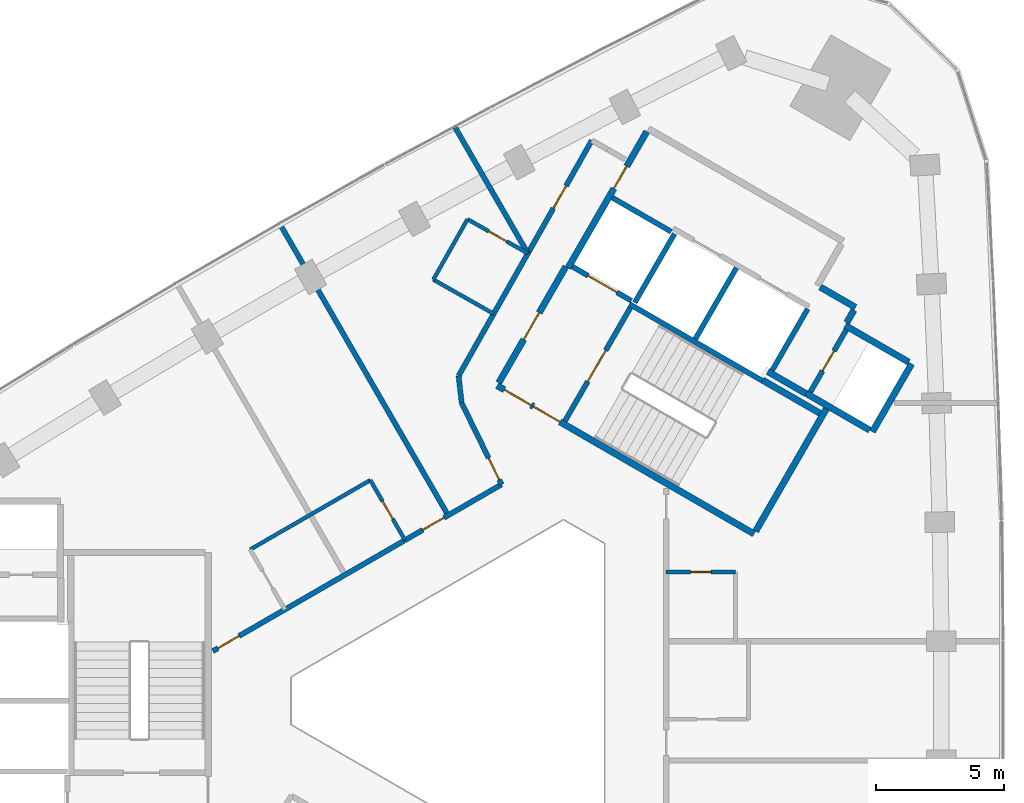
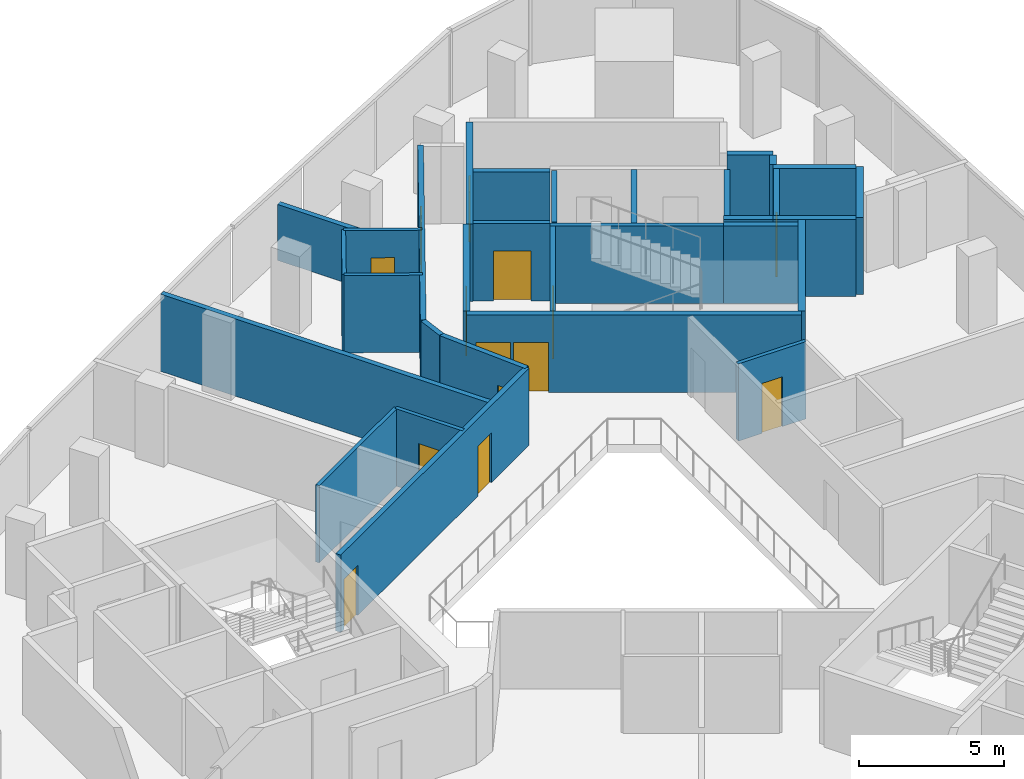
# One storey, part 9 of 11: 31 walls, 14 doors, 14 openings.
"""IFC4 building model written with IfcOpenShell, lengths in metres."""

from ifc_helpers import new_model, si_unit, direction, frame, frame_2d, origin, place, context, subcontext, project, spatial, rectangle, extrude, material, layer, layer_set, type_object, element, fill, save


model = new_model("IFC4")

# Units and contexts
model_context = context("Model", 3, precision=1e-05, world=origin(), true_north=direction((0.0, 1.0)))
body_context = subcontext(model_context, "Body", "Model", "MODEL_VIEW")
ifc_project = project(units=[si_unit("LENGTHUNIT", "METRE"), si_unit("AREAUNIT", "SQUARE_METRE"), si_unit("VOLUMEUNIT", "CUBIC_METRE"), si_unit("PLANEANGLEUNIT", "RADIAN"), si_unit("MASSUNIT", "GRAM", prefix="KILO")], contexts=[model_context])

# Site, building, storey
site_placement = place(None, origin())
site = spatial("IfcSite", under=ifc_project, at=site_placement, CompositionType="ELEMENT")
building_placement = place(site_placement, origin())
building = spatial("IfcBuilding", under=site, at=building_placement, Name="Tamra Quay Hotel Tower", CompositionType="ELEMENT")
storey_placement = place(building_placement, frame((0.0, 0.0, 190.0)))
storey = spatial("IfcBuildingStorey", under=building, at=storey_placement, Name="L47", CompositionType="ELEMENT", Elevation=190.0)

# Wall
ifc_material_1 = material(Name="Concrete M70", Category="concrete")
ifc_layer_1 = layer(ifc_material_1, 0.199951171875)
ifc_layer_set_1 = layer_set([ifc_layer_1], Name="Concrete M70 core wall 200")
wall_type_1 = type_object("IfcWallType", Name="Concrete M70 core wall 200", PredefinedType="SHEAR", material=ifc_layer_set_1)
wall_1_placement = place(storey_placement, frame((10.7431640625, 12.4599609375, 0.0), z_axis=(0.0, 0.0, 1.0), x_axis=(-0.866018848283, 0.500011354289, 0.0)))
element("IfcWall", 1, at=wall_1_placement, inside=storey, type_object=wall_type_1, Name="CW2", PredefinedType="SHEAR", context=body_context, shape_type="SweptSolid", body=[
    extrude(rectangle(XDim=5.973876953125, YDim=0.199951171875, at=frame_2d((2.98681640625, 0.0))), origin(), (0.0, 0.0, 1.0), 3.25),
])

# Wall, opening, door
wall_2_placement = place(storey_placement, frame((3.056640625, 10.89453125, 0.0), z_axis=(0.0, 0.0, 1.0), x_axis=(0.500027839223, 0.866009330205, 0.0)))
wall_2 = element("IfcWall", 2, at=wall_2_placement, inside=storey, type_object=wall_type_1, Name="CW2", PredefinedType="SHEAR", context=body_context, shape_type="SweptSolid", body=[
    extrude(rectangle(XDim=5.097900390625, YDim=0.199951171875, at=frame_2d((2.548828125, 0.0))), origin(), (0.0, 0.0, 1.0), 3.25),
])
opening_1_placement = place(wall_2_placement, frame((1.77392578125, 0.0, 0.0)))
opening_1 = element("IfcOpeningElement", 3, at=opening_1_placement, cuts=wall_2, Name="Opening FD2", PredefinedType="OPENING", context=body_context, shape_type="SweptSolid", body=[
    extrude(rectangle(XDim=1.39990234375, YDim=2.10009765625, at=frame_2d((0.699951171875, 1.050048828125))), frame((0.0, 0.10986328125, 0.0), z_axis=(0.0, -1.0, 0.0), x_axis=(1.0, 0.0, 0.0)), (0.0, 0.0, 1.0), 0.219970703125),
])
ifc_material_2 = material(Name="Core door FD2 1400x2100 RH")
door_type_1 = type_object("IfcDoorType", Name="Core door FD2 1400x2100 RH", OperationType="NOTDEFINED", PredefinedType="DOOR", material=ifc_material_2)
door_1_placement = place(opening_1_placement, origin())
door_1 = element("IfcDoor", 4, at=door_1_placement, inside=storey, type_object=door_type_1, Name="FD2", OperationType="SINGLE_SWING_RIGHT", OverallHeight=2.10009765625, OverallWidth=1.39990234375, PredefinedType="DOOR", context=body_context, shape_type="SweptSolid", body=[
    extrude(rectangle(XDim=1.39990234375, YDim=2.10009765625, at=frame_2d((0.699951171875, 1.050048828125))), frame((0.0, 0.02490234375, 0.0), z_axis=(0.0, -1.0, 0.0), x_axis=(1.0, 0.0, 0.0)), (0.0, 0.0, 1.0), 0.050048828125),
])
fill(opening_1, door_1)

# Wall
wall_3_placement = place(storey_placement, frame((8.131591796875, 14.08447265625, 0.0), z_axis=(0.0, 0.0, 1.0), x_axis=(0.500030834389, 0.86600760081, 0.0)))
element("IfcWall", 5, at=wall_3_placement, inside=storey, type_object=wall_type_1, Name="CW2", PredefinedType="SHEAR", context=body_context, shape_type="SweptSolid", body=[
    extrude(rectangle(XDim=3.197998046875, YDim=0.199951171875, at=frame_2d((1.59912109375, 0.0))), origin(), (0.0, 0.0, 1.0), 3.25),
])

# Wall, opening, door
wall_4_placement = place(storey_placement, frame((14.0078125, 14.442138671875, 0.0), z_axis=(0.0, 0.0, 1.0), x_axis=(-0.499986818241, -0.866033014143, 0.0)))
wall_4 = element("IfcWall", 6, at=wall_4_placement, inside=storey, type_object=wall_type_1, Name="CW2", PredefinedType="SHEAR", context=body_context, shape_type="SweptSolid", body=[
    extrude(rectangle(XDim=2.7978515625, YDim=0.199951171875, at=frame_2d((1.39892578125, 0.0))), origin(), (0.0, 0.0, 1.0), 3.25),
])
opening_2_placement = place(wall_4_placement, frame((0.948974609375, 0.0, 0.0)))
opening_2 = element("IfcOpeningElement", 7, at=opening_2_placement, cuts=wall_4, Name="Opening D1", PredefinedType="OPENING", context=body_context, shape_type="SweptSolid", body=[
    extrude(rectangle(XDim=0.89990234375, YDim=2.10009765625, at=frame_2d((0.449951171875, 1.050048828125))), frame((0.0, 0.10986328125, 0.0), z_axis=(0.0, -1.0, 0.0), x_axis=(1.0, 0.0, 0.0)), (0.0, 0.0, 1.0), 0.219970703125),
])
ifc_material_3 = material(Name="Core door D1 900x2100 LH")
door_type_2 = type_object("IfcDoorType", Name="Core door D1 900x2100 LH", OperationType="NOTDEFINED", PredefinedType="DOOR", material=ifc_material_3)
door_2_placement = place(opening_2_placement, origin())
door_2 = element("IfcDoor", 8, at=door_2_placement, inside=storey, type_object=door_type_2, Name="D1", OperationType="SINGLE_SWING_LEFT", OverallHeight=2.10009765625, OverallWidth=0.89990234375, PredefinedType="DOOR", context=body_context, shape_type="SweptSolid", body=[
    extrude(rectangle(XDim=0.89990234375, YDim=2.10009765625, at=frame_2d((0.449951171875, 1.050048828125))), frame((0.0, 0.02490234375, 0.0), z_axis=(0.0, -1.0, 0.0), x_axis=(1.0, 0.0, 0.0)), (0.0, 0.0, 1.0), 0.050048828125),
])
fill(opening_2, door_2)

# Walls
wall_5_placement = place(storey_placement, frame((12.50244140625, 15.2548828125, 0.0), z_axis=(0.0, 0.0, 1.0), x_axis=(-0.499965018551, -0.866045599391, 0.0)))
element("IfcWall", 9, at=wall_5_placement, inside=storey, type_object=wall_type_1, Name="CW2", PredefinedType="SHEAR", context=body_context, shape_type="SweptSolid", body=[
    extrude(rectangle(XDim=2.759033203125, YDim=0.199951171875, at=frame_2d((1.37939453125, 0.0))), origin(), (0.0, 0.0, 1.0), 3.25),
])
wall_6_placement = place(storey_placement, frame((7.324462890625, 18.1865234375, 0.0), z_axis=(0.0, 0.0, 1.0), x_axis=(-0.499967891604, -0.866043940782, 0.0)))
element("IfcWall", 10, at=wall_6_placement, inside=storey, type_object=wall_type_1, Name="CW2", PredefinedType="SHEAR", context=body_context, shape_type="SweptSolid", body=[
    extrude(rectangle(XDim=3.099853515625, YDim=0.199951171875, at=frame_2d((1.5498046875, 0.0))), origin(), (0.0, 0.0, 1.0), 3.25),
])

# Wall, opening, door
wall_7_placement = place(storey_placement, frame((5.646240234375, 15.575927734375, 0.0), z_axis=(0.0, 0.0, 1.0), x_axis=(-0.866018407898, 0.500012117035, 0.0)))
wall_7 = element("IfcWall", 11, at=wall_7_placement, inside=storey, type_object=wall_type_1, Name="CW2", PredefinedType="SHEAR", context=body_context, shape_type="SweptSolid", body=[
    extrude(rectangle(XDim=2.65087890625, YDim=0.199951171875, at=frame_2d((1.325439453125, 0.0))), origin(), (0.0, 0.0, 1.0), 3.25),
])
opening_3_placement = place(wall_7_placement, frame((0.65185546875, 0.0, 0.0)))
opening_3 = element("IfcOpeningElement", 12, at=opening_3_placement, cuts=wall_7, Name="Opening LD", PredefinedType="OPENING", context=body_context, shape_type="SweptSolid", body=[
    extrude(rectangle(XDim=1.300048828125, YDim=2.10009765625, at=frame_2d((0.64990234375, 1.050048828125))), frame((0.0, 0.10986328125, 0.0), z_axis=(0.0, -1.0, 0.0), x_axis=(1.0, 0.0, 0.0)), (0.0, 0.0, 1.0), 0.219970703125),
])
ifc_material_4 = material(Name="Landing door LD 1300 sliding to right")
door_type_3 = type_object("IfcDoorType", Name="Landing door LD 1300 sliding to right", OperationType="NOTDEFINED", PredefinedType="DOOR", material=ifc_material_4)
door_3_placement = place(opening_3_placement, origin())
door_3 = element("IfcDoor", 13, at=door_3_placement, inside=storey, type_object=door_type_3, Name="LD", OperationType="SLIDING_TO_RIGHT", OverallHeight=2.10009765625, OverallWidth=1.300048828125, PredefinedType="DOOR", context=body_context, shape_type="SweptSolid", body=[
    extrude(rectangle(XDim=1.300048828125, YDim=2.10009765625, at=frame_2d((0.64990234375, 1.050048828125))), frame((0.0, 0.02490234375, 0.0), z_axis=(0.0, -1.0, 0.0), x_axis=(1.0, 0.0, 0.0)), (0.0, 0.0, 1.0), 0.050048828125),
])
fill(opening_3, door_3)

# Wall
wall_8_placement = place(storey_placement, frame((7.1962890625, 18.260498046875, 0.0), z_axis=(0.0, 0.0, 1.0), x_axis=(-0.866018407898, 0.500012117035, 0.0)))
element("IfcWall", 14, at=wall_8_placement, inside=storey, type_object=wall_type_1, Name="CW2", PredefinedType="SHEAR", context=body_context, shape_type="SweptSolid", body=[
    extrude(rectangle(XDim=2.65087890625, YDim=0.199951171875, at=frame_2d((1.325439453125, 0.0))), origin(), (0.0, 0.0, 1.0), 3.25),
])

# Wall, openings, doors
ifc_layer_2 = layer(ifc_material_1, 0.25)
ifc_layer_set_2 = layer_set([ifc_layer_2], Name="Concrete M70 core wall 250")
wall_type_2 = type_object("IfcWallType", Name="Concrete M70 core wall 250", PredefinedType="SHEAR", material=ifc_layer_set_2)
wall_9_placement = place(storey_placement, frame((10.419921875, 6.497802734375, 0.0), z_axis=(0.0, 0.0, 1.0), x_axis=(-0.866021906294, 0.500006057782, 0.0)))
wall_9 = element("IfcWall", 15, at=wall_9_placement, inside=storey, type_object=wall_type_2, Name="CW1", PredefinedType="SHEAR", context=body_context, shape_type="SweptSolid", body=[
    extrude(rectangle(XDim=11.550048828125, YDim=0.25, at=frame_2d((5.77490234375, 0.0))), origin(), (0.0, 0.0, 1.0), 3.25),
])
opening_4_placement = place(wall_9_placement, frame((10.02490234375, 0.0, 0.0)))
opening_4 = element("IfcOpeningElement", 16, at=opening_4_placement, cuts=wall_9, Name="Opening FD1", PredefinedType="OPENING", context=body_context, shape_type="SweptSolid", body=[
    extrude(rectangle(XDim=1.199951171875, YDim=2.10009765625, at=frame_2d((0.60009765625, 1.050048828125))), frame((0.0, 0.135009765625, 0.0), z_axis=(0.0, -1.0, 0.0), x_axis=(1.0, 0.0, 0.0)), (0.0, 0.0, 1.0), 0.27001953125),
])
opening_5_placement = place(wall_9_placement, frame((8.724853515625, 0.0, 0.0)))
opening_5 = element("IfcOpeningElement", 17, at=opening_5_placement, cuts=wall_9, Name="Opening FD1", PredefinedType="OPENING", context=body_context, shape_type="SweptSolid", body=[
    extrude(rectangle(XDim=1.199951171875, YDim=2.10009765625, at=frame_2d((0.60009765625, 1.050048828125))), frame((0.0, 0.135009765625, 0.0), z_axis=(0.0, -1.0, 0.0), x_axis=(1.0, 0.0, 0.0)), (0.0, 0.0, 1.0), 0.27001953125),
])
ifc_material_5 = material(Name="Core door FD1 1200x2100 LH")
door_type_4 = type_object("IfcDoorType", Name="Core door FD1 1200x2100 LH", OperationType="NOTDEFINED", PredefinedType="DOOR", material=ifc_material_5)
door_4_placement = place(opening_4_placement, origin())
door_4 = element("IfcDoor", 18, at=door_4_placement, inside=storey, type_object=door_type_4, Name="FD1", OperationType="SINGLE_SWING_LEFT", OverallHeight=2.10009765625, OverallWidth=1.199951171875, PredefinedType="DOOR", context=body_context, shape_type="SweptSolid", body=[
    extrude(rectangle(XDim=1.199951171875, YDim=2.10009765625, at=frame_2d((0.60009765625, 1.050048828125))), frame((0.0, 0.02490234375, 0.0), z_axis=(0.0, -1.0, 0.0), x_axis=(1.0, 0.0, 0.0)), (0.0, 0.0, 1.0), 0.050048828125),
])
fill(opening_4, door_4)
ifc_material_6 = material(Name="Core door FD1 1200x2100 RH")
door_type_5 = type_object("IfcDoorType", Name="Core door FD1 1200x2100 RH", OperationType="NOTDEFINED", PredefinedType="DOOR", material=ifc_material_6)
door_5_placement = place(opening_5_placement, origin())
door_5 = element("IfcDoor", 19, at=door_5_placement, inside=storey, type_object=door_type_5, Name="FD1", OperationType="SINGLE_SWING_RIGHT", OverallHeight=2.10009765625, OverallWidth=1.199951171875, PredefinedType="DOOR", context=body_context, shape_type="SweptSolid", body=[
    extrude(rectangle(XDim=1.199951171875, YDim=2.10009765625, at=frame_2d((0.60009765625, 1.050048828125))), frame((0.0, 0.02490234375, 0.0), z_axis=(0.0, -1.0, 0.0), x_axis=(1.0, 0.0, 0.0)), (0.0, 0.0, 1.0), 0.050048828125),
])
fill(opening_5, door_5)

# Wall, opening, door
wall_10_placement = place(storey_placement, frame((3.178955078125, 16.856201171875, 0.0), z_axis=(0.0, 0.0, 1.0), x_axis=(0.500001955336, 0.866024274868, 0.0)))
wall_10 = element("IfcWall", 20, at=wall_10_placement, inside=storey, type_object=wall_type_2, Name="CW1", PredefinedType="SHEAR", context=body_context, shape_type="SweptSolid", body=[
    extrude(rectangle(XDim=6.12451171875, YDim=0.25, at=frame_2d((3.062255859375, 0.0))), origin(), (0.0, 0.0, 1.0), 3.25),
])
opening_6_placement = place(wall_10_placement, frame((3.562744140625, 0.0, 0.0)))
opening_6 = element("IfcOpeningElement", 21, at=opening_6_placement, cuts=wall_10, Name="Opening FD3", PredefinedType="OPENING", context=body_context, shape_type="SweptSolid", body=[
    extrude(rectangle(XDim=1.0, YDim=2.10009765625, at=frame_2d((0.5, 1.050048828125))), frame((0.0, 0.135009765625, 0.0), z_axis=(0.0, -1.0, 0.0), x_axis=(1.0, 0.0, 0.0)), (0.0, 0.0, 1.0), 0.27001953125),
])
ifc_material_7 = material(Name="Core door FD3 1000x2100 LH")
door_type_6 = type_object("IfcDoorType", Name="Core door FD3 1000x2100 LH", OperationType="NOTDEFINED", PredefinedType="DOOR", material=ifc_material_7)
door_6_placement = place(opening_6_placement, origin())
door_6 = element("IfcDoor", 22, at=door_6_placement, inside=storey, type_object=door_type_6, Name="FD3", OperationType="SINGLE_SWING_LEFT", OverallHeight=2.10009765625, OverallWidth=1.0, PredefinedType="DOOR", context=body_context, shape_type="SweptSolid", body=[
    extrude(rectangle(XDim=1.0, YDim=2.10009765625, at=frame_2d((0.5, 1.050048828125))), frame((0.0, 0.02490234375, 0.0), z_axis=(0.0, -1.0, 0.0), x_axis=(1.0, 0.0, 0.0)), (0.0, 0.0, 1.0), 0.050048828125),
])
fill(opening_6, door_6)

wall_11_placement = place(storey_placement, frame((0.47998046875, 12.38134765625, 0.0), z_axis=(0.0, 0.0, 1.0), x_axis=(0.49999885962, 0.866026062182, 0.0)))
wall_11 = element("IfcWall", 23, at=wall_11_placement, inside=storey, type_object=wall_type_2, Name="CW1", PredefinedType="SHEAR", context=body_context, shape_type="SweptSolid", body=[
    extrude(rectangle(XDim=5.224609375, YDim=0.25, at=frame_2d((2.6123046875, 0.0))), origin(), (0.0, 0.0, 1.0), 3.25),
])
opening_7_placement = place(wall_11_placement, frame((1.94970703125, 0.0, 0.0)))
opening_7 = element("IfcOpeningElement", 24, at=opening_7_placement, cuts=wall_11, Name="Opening D2", PredefinedType="OPENING", context=body_context, shape_type="SweptSolid", body=[
    extrude(rectangle(XDim=1.199951171875, YDim=2.10009765625, at=frame_2d((0.60009765625, 1.050048828125))), frame((0.0, 0.135009765625, 0.0), z_axis=(0.0, -1.0, 0.0), x_axis=(1.0, 0.0, 0.0)), (0.0, 0.0, 1.0), 0.27001953125),
])
ifc_material_8 = material(Name="Core door D2 1200x2100 LH")
door_type_7 = type_object("IfcDoorType", Name="Core door D2 1200x2100 LH", OperationType="NOTDEFINED", PredefinedType="DOOR", material=ifc_material_8)
door_7_placement = place(opening_7_placement, origin())
door_7 = element("IfcDoor", 25, at=door_7_placement, inside=storey, type_object=door_type_7, Name="D2", OperationType="SINGLE_SWING_LEFT", OverallHeight=2.10009765625, OverallWidth=1.199951171875, PredefinedType="DOOR", context=body_context, shape_type="SweptSolid", body=[
    extrude(rectangle(XDim=1.199951171875, YDim=2.10009765625, at=frame_2d((0.60009765625, 1.050048828125))), frame((0.0, 0.02490234375, 0.0), z_axis=(0.0, -1.0, 0.0), x_axis=(1.0, 0.0, 0.0)), (0.0, 0.0, 1.0), 0.050048828125),
])
fill(opening_7, door_7)

# Walls
wall_12_placement = place(storey_placement, frame((13.237548828125, 11.3779296875, 0.0), z_axis=(0.0, 0.0, 1.0), x_axis=(-0.500008851346, -0.866020293397, 0.0)))
element("IfcWall", 26, at=wall_12_placement, inside=storey, type_object=wall_type_2, Name="CW1", PredefinedType="SHEAR", context=body_context, shape_type="SweptSolid", body=[
    extrude(rectangle(XDim=5.509765625, YDim=0.25, at=frame_2d((2.7548828125, 0.0))), origin(), (0.0, 0.0, 1.0), 3.25),
])
wall_13_placement = place(storey_placement, frame((16.552001953125, 13.118896484375, 0.0), z_axis=(0.0, 0.0, 1.0), x_axis=(-0.499978833458, -0.866037623948, 0.0)))
element("IfcWall", 27, at=wall_13_placement, inside=storey, type_object=wall_type_2, Name="CW1", PredefinedType="SHEAR", context=body_context, shape_type="SweptSolid", body=[
    extrude(rectangle(XDim=3.050048828125, YDim=0.25, at=frame_2d((1.52490234375, 0.0))), origin(), (0.0, 0.0, 1.0), 3.25),
])
wall_14_placement = place(storey_placement, frame((14.91845703125, 10.540283203125, 0.0), z_axis=(0.0, 0.0, 1.0), x_axis=(-0.866063538972, 0.499933942099, 0.0)))
element("IfcWall", 28, at=wall_14_placement, inside=storey, type_object=wall_type_2, Name="CW1", PredefinedType="SHEAR", context=body_context, shape_type="SweptSolid", body=[
    extrude(rectangle(XDim=2.86474609375, YDim=0.25, at=frame_2d((1.432373046875, 0.0))), origin(), (0.0, 0.0, 1.0), 3.25),
])
wall_15_placement = place(storey_placement, frame((13.962646484375, 14.61376953125, 0.0), z_axis=(0.0, 0.0, 1.0), x_axis=(0.866042235819, -0.499970844928, 0.0)))
element("IfcWall", 29, at=wall_15_placement, inside=storey, type_object=wall_type_2, Name="CW1", PredefinedType="SHEAR", context=body_context, shape_type="SweptSolid", body=[
    extrude(rectangle(XDim=2.864501953125, YDim=0.25, at=frame_2d((1.43212890625, 0.0))), origin(), (0.0, 0.0, 1.0), 3.25),
])
wall_16_placement = place(storey_placement, frame((10.756591796875, 12.481201171875, 0.0), z_axis=(0.0, 0.0, 1.0), x_axis=(0.866022940537, -0.500004266446, 0.0)))
element("IfcWall", 30, at=wall_16_placement, inside=storey, type_object=wall_type_2, Name="CW1", PredefinedType="SHEAR", context=body_context, shape_type="SweptSolid", body=[
    extrude(rectangle(XDim=2.57470703125, YDim=0.25, at=frame_2d((1.287353515625, 0.0))), origin(), (0.0, 0.0, 1.0), 3.25),
])
wall_17_placement = place(storey_placement, frame((12.4326171875, 11.9638671875, 0.0), z_axis=(0.0, 0.0, 1.0), x_axis=(-0.866038183914, 0.499977863513, 0.0)))
element("IfcWall", 31, at=wall_17_placement, inside=storey, type_object=wall_type_2, Name="CW1", PredefinedType="SHEAR", context=body_context, shape_type="SweptSolid", body=[
    extrude(rectangle(XDim=1.7099609375, YDim=0.25, at=frame_2d((0.85498046875, 0.0))), origin(), (0.0, 0.0, 1.0), 3.25),
])
wall_18_placement = place(storey_placement, frame((12.995361328125, 16.107666015625, 0.0), z_axis=(0.0, 0.0, 1.0), x_axis=(0.866044474677, -0.49996696679, 0.0)))
element("IfcWall", 32, at=wall_18_placement, inside=storey, type_object=wall_type_2, Name="CW1", PredefinedType="SHEAR", context=body_context, shape_type="SweptSolid", body=[
    extrude(rectangle(XDim=1.58447265625, YDim=0.25, at=frame_2d((0.792236328125, 0.0))), origin(), (0.0, 0.0, 1.0), 3.25),
])
wall_19_placement = place(storey_placement, frame((14.304931640625, 15.206787109375, 0.0), z_axis=(0.0, 0.0, 1.0), x_axis=(-0.499848422343, -0.866112899501, 0.0)))
element("IfcWall", 33, at=wall_19_placement, inside=storey, type_object=wall_type_2, Name="CW1", PredefinedType="SHEAR", context=body_context, shape_type="SweptSolid", body=[
    extrude(rectangle(XDim=0.559326171875, YDim=0.25, at=frame_2d((0.27978515625, 0.0))), origin(), (0.0, 0.0, 1.0), 3.25),
])

# Wall, openings, doors
ifc_material_9 = material(Name="Partition corridor wall")
ifc_layer_3 = layer(ifc_material_9, 0.199951171875)
ifc_layer_set_3 = layer_set([ifc_layer_3], Name="Partition corridor wall")
wall_type_3 = type_object("IfcWallType", Name="Partition corridor wall", PredefinedType="PARTITIONING", material=ifc_layer_set_3)
wall_20_placement = place(storey_placement, frame((-10.65234375, 1.93408203125, 0.0), z_axis=(0.0, 0.0, 1.0), x_axis=(0.866066882415, 0.499928150021, 0.0)))
wall_20 = element("IfcWall", 34, at=wall_20_placement, inside=storey, type_object=wall_type_3, Name="W-C", PredefinedType="PARTITIONING", context=body_context, shape_type="SweptSolid", body=[
    extrude(rectangle(XDim=12.97998046875, YDim=0.199951171875, at=frame_2d((6.489990234375, 0.0))), origin(), (0.0, 0.0, 1.0), 3.25),
])
opening_8_placement = place(wall_20_placement, frame((9.438720703125, 0.0, 0.0)))
opening_8 = element("IfcOpeningElement", 35, at=opening_8_placement, cuts=wall_20, Name="Opening L47-D014", PredefinedType="OPENING", context=body_context, shape_type="SweptSolid", body=[
    extrude(rectangle(XDim=0.949951171875, YDim=2.10009765625, at=frame_2d((0.47509765625, 1.050048828125))), frame((0.0, 0.10986328125, 0.0), z_axis=(0.0, -1.0, 0.0), x_axis=(1.0, 0.0, 0.0)), (0.0, 0.0, 1.0), 0.219970703125),
])
opening_9_placement = place(wall_20_placement, frame((0.228759765625, 0.0, 0.0)))
opening_9 = element("IfcOpeningElement", 36, at=opening_9_placement, cuts=wall_20, Name="Opening L47-D016", PredefinedType="OPENING", context=body_context, shape_type="SweptSolid", body=[
    extrude(rectangle(XDim=0.949951171875, YDim=2.10009765625, at=frame_2d((0.47509765625, 1.050048828125))), frame((0.0, 0.10986328125, 0.0), z_axis=(0.0, -1.0, 0.0), x_axis=(1.0, 0.0, 0.0)), (0.0, 0.0, 1.0), 0.219970703125),
])
ifc_material_10 = material(Name="Door guest room 950x2100")
door_type_8 = type_object("IfcDoorType", Name="Door guest room 950x2100", OperationType="NOTDEFINED", PredefinedType="DOOR", material=ifc_material_10)
door_8_placement = place(opening_8_placement, origin())
door_8 = element("IfcDoor", 37, at=door_8_placement, inside=storey, type_object=door_type_8, Name="L47-D014", OperationType="SINGLE_SWING_LEFT", OverallHeight=2.10009765625, OverallWidth=0.949951171875, PredefinedType="DOOR", context=body_context, shape_type="SweptSolid", body=[
    extrude(rectangle(XDim=0.949951171875, YDim=2.10009765625, at=frame_2d((0.47509765625, 1.050048828125))), frame((0.0, 0.02490234375, 0.0), z_axis=(0.0, -1.0, 0.0), x_axis=(1.0, 0.0, 0.0)), (0.0, 0.0, 1.0), 0.050048828125),
])
fill(opening_8, door_8)
door_9_placement = place(opening_9_placement, origin())
door_9 = element("IfcDoor", 38, at=door_9_placement, inside=storey, type_object=door_type_8, Name="L47-D016", OperationType="SINGLE_SWING_LEFT", OverallHeight=2.10009765625, OverallWidth=0.949951171875, PredefinedType="DOOR", context=body_context, shape_type="SweptSolid", body=[
    extrude(rectangle(XDim=0.949951171875, YDim=2.10009765625, at=frame_2d((0.47509765625, 1.050048828125))), frame((0.0, 0.02490234375, 0.0), z_axis=(0.0, -1.0, 0.0), x_axis=(1.0, 0.0, 0.0)), (0.0, 0.0, 1.0), 0.050048828125),
])
fill(opening_9, door_9)

# Wall, opening, door
wall_21_placement = place(storey_placement, frame((-1.0849609375, 12.64990234375, 0.0), z_axis=(0.0, 0.0, 1.0), x_axis=(0.49243456751, 0.870349468157, 0.0)))
wall_21 = element("IfcWall", 39, at=wall_21_placement, inside=storey, type_object=wall_type_3, Name="W-C", PredefinedType="PARTITIONING", context=body_context, shape_type="SweptSolid", body=[
    extrude(rectangle(XDim=10.531494140625, YDim=0.199951171875, at=frame_2d((5.265625, 0.0))), origin(), (0.0, 0.0, 1.0), 3.25),
])
opening_10_placement = place(wall_21_placement, frame((7.4990234375, 0.0, 0.0)))
opening_10 = element("IfcOpeningElement", 40, at=opening_10_placement, cuts=wall_21, Name="Opening L47-D011", PredefinedType="OPENING", context=body_context, shape_type="SweptSolid", body=[
    extrude(rectangle(XDim=1.0, YDim=2.10009765625, at=frame_2d((0.5, 1.050048828125))), frame((0.0, 0.10986328125, 0.0), z_axis=(0.0, -1.0, 0.0), x_axis=(1.0, 0.0, 0.0)), (0.0, 0.0, 1.0), 0.219970703125),
])
ifc_material_11 = material(Name="Door guest room 1000x2100")
door_type_9 = type_object("IfcDoorType", Name="Door guest room 1000x2100", OperationType="NOTDEFINED", PredefinedType="DOOR", material=ifc_material_11)
door_10_placement = place(opening_10_placement, frame((1.0, 0.0, 0.0), z_axis=(0.0, 0.0, 1.0), x_axis=(-1.0, 0.0, 0.0)))
door_10 = element("IfcDoor", 41, at=door_10_placement, inside=storey, type_object=door_type_9, Name="L47-D011", OperationType="SINGLE_SWING_LEFT", OverallHeight=2.10009765625, OverallWidth=1.0, PredefinedType="DOOR", context=body_context, shape_type="SweptSolid", body=[
    extrude(rectangle(XDim=1.0, YDim=2.10009765625, at=frame_2d((0.5, 1.050048828125))), frame((0.0, 0.02490234375, 0.0), z_axis=(0.0, -1.0, 0.0), x_axis=(1.0, 0.0, 0.0)), (0.0, 0.0, 1.0), 0.050048828125),
])
fill(opening_10, door_10)

# Wall
wall_22_placement = place(storey_placement, frame((-1.0849609375, 12.64990234375, 0.0), z_axis=(0.0, 0.0, 1.0), x_axis=(0.113812454263, -0.993502252264, 0.0)))
element("IfcWall", 42, at=wall_22_placement, inside=storey, type_object=wall_type_3, Name="W-C", PredefinedType="PARTITIONING", context=body_context, shape_type="SweptSolid", body=[
    extrude(rectangle(XDim=1.061767578125, YDim=0.199951171875, at=frame_2d((0.53076171875, 0.0))), origin(), (0.0, 0.0, 1.0), 3.25),
])

# Wall, opening, door
wall_23_placement = place(storey_placement, frame((-0.964111328125, 11.594970703125, 0.0), z_axis=(0.0, 0.0, 1.0), x_axis=(0.439787800928, -0.898101714816, 0.0)))
wall_23 = element("IfcWall", 43, at=wall_23_placement, inside=storey, type_object=wall_type_3, Name="W-C", PredefinedType="PARTITIONING", context=body_context, shape_type="SweptSolid", body=[
    extrude(rectangle(XDim=3.53173828125, YDim=0.199951171875, at=frame_2d((1.765869140625, 0.0))), origin(), (0.0, 0.0, 1.0), 3.25),
])
opening_11_placement = place(wall_23_placement, frame((2.3818359375, 0.0, 0.0)))
opening_11 = element("IfcOpeningElement", 44, at=opening_11_placement, cuts=wall_23, Name="Opening L47-D012", PredefinedType="OPENING", context=body_context, shape_type="SweptSolid", body=[
    extrude(rectangle(XDim=0.949951171875, YDim=2.10009765625, at=frame_2d((0.47509765625, 1.050048828125))), frame((0.0, 0.10986328125, 0.0), z_axis=(0.0, -1.0, 0.0), x_axis=(1.0, 0.0, 0.0)), (0.0, 0.0, 1.0), 0.219970703125),
])
door_11_placement = place(opening_11_placement, frame((0.949951171875, 0.0, 0.0), z_axis=(0.0, 0.0, 1.0), x_axis=(-1.0, 0.0, 0.0)))
door_11 = element("IfcDoor", 45, at=door_11_placement, inside=storey, type_object=door_type_8, Name="L47-D012", OperationType="SINGLE_SWING_LEFT", OverallHeight=2.10009765625, OverallWidth=0.949951171875, PredefinedType="DOOR", context=body_context, shape_type="SweptSolid", body=[
    extrude(rectangle(XDim=0.949951171875, YDim=2.10009765625, at=frame_2d((0.47509765625, 1.050048828125))), frame((0.0, 0.02490234375, 0.0), z_axis=(0.0, -1.0, 0.0), x_axis=(1.0, 0.0, 0.0)), (0.0, 0.0, 1.0), 0.050048828125),
])
fill(opening_11, door_11)

# Wall
ifc_material_12 = material(Name="Partition en-suite wall")
ifc_layer_4 = layer(ifc_material_12, 0.14990234375)
ifc_layer_set_4 = layer_set([ifc_layer_4], Name="Partition en-suite wall")
wall_type_4 = type_object("IfcWallType", Name="Partition en-suite wall", PredefinedType="PARTITIONING", material=ifc_layer_set_4)
wall_24_placement = place(storey_placement, frame((-9.194091796875, 5.89208984375, 0.0), z_axis=(0.0, 0.0, 1.0), x_axis=(0.8659934935, 0.500055266161, 0.0)))
element("IfcWall", 46, at=wall_24_placement, inside=storey, type_object=wall_type_4, Name="W-E", PredefinedType="PARTITIONING", context=body_context, shape_type="SweptSolid", body=[
    extrude(rectangle(XDim=5.3974609375, YDim=0.14990234375, at=frame_2d((2.69873046875, 0.0))), origin(), (0.0, 0.0, 1.0), 3.25),
])

# Wall, opening, door
wall_25_placement = place(storey_placement, frame((-4.52001953125, 8.591064453125, 0.0), z_axis=(0.0, 0.0, 1.0), x_axis=(0.500048589285, -0.86599734893, 0.0)))
wall_25 = element("IfcWall", 47, at=wall_25_placement, inside=storey, type_object=wall_type_4, Name="W-E", PredefinedType="PARTITIONING", context=body_context, shape_type="SweptSolid", body=[
    extrude(rectangle(XDim=2.699951171875, YDim=0.14990234375, at=frame_2d((1.35009765625, 0.0))), origin(), (0.0, 0.0, 1.0), 3.25),
])
opening_12_placement = place(wall_25_placement, frame((0.94970703125, 0.0, 0.0)))
opening_12 = element("IfcOpeningElement", 48, at=opening_12_placement, cuts=wall_25, Name="Opening L47-D015", PredefinedType="OPENING", context=body_context, shape_type="SweptSolid", body=[
    extrude(rectangle(XDim=0.800048828125, YDim=2.10009765625, at=frame_2d((0.39990234375, 1.050048828125))), frame((0.0, 0.0849609375, 0.0), z_axis=(0.0, -1.0, 0.0), x_axis=(1.0, 0.0, 0.0)), (0.0, 0.0, 1.0), 0.169921875),
])
ifc_material_13 = material(Name="Door en-suite 800x2100")
door_type_10 = type_object("IfcDoorType", Name="Door en-suite 800x2100", OperationType="NOTDEFINED", PredefinedType="DOOR", material=ifc_material_13)
door_12_placement = place(opening_12_placement, frame((0.800048828125, 0.0, 0.0), z_axis=(0.0, 0.0, 1.0), x_axis=(-1.0, 0.0, 0.0)))
door_12 = element("IfcDoor", 49, at=door_12_placement, inside=storey, type_object=door_type_10, Name="L47-D015", OperationType="SINGLE_SWING_LEFT", OverallHeight=2.10009765625, OverallWidth=0.800048828125, PredefinedType="DOOR", context=body_context, shape_type="SweptSolid", body=[
    extrude(rectangle(XDim=0.800048828125, YDim=2.10009765625, at=frame_2d((0.39990234375, 1.050048828125))), frame((0.0, 0.02490234375, 0.0), z_axis=(0.0, -1.0, 0.0), x_axis=(1.0, 0.0, 0.0)), (0.0, 0.0, 1.0), 0.050048828125),
])
fill(opening_12, door_12)

# Walls
wall_26_placement = place(storey_placement, frame((-2.06689453125, 16.39794921875, 0.0), z_axis=(0.0, 0.0, 1.0), x_axis=(0.492483230042, 0.870321933613, 0.0)))
element("IfcWall", 50, at=wall_26_placement, inside=storey, type_object=wall_type_4, Name="W-E", PredefinedType="PARTITIONING", context=body_context, shape_type="SweptSolid", body=[
    extrude(rectangle(XDim=2.7001953125, YDim=0.14990234375, at=frame_2d((1.35009765625, 0.0))), origin(), (0.0, 0.0, 1.0), 3.25),
])
wall_27_placement = place(storey_placement, frame((-2.06689453125, 16.39794921875, 0.0), z_axis=(0.0, 0.0, 1.0), x_axis=(0.870300002118, -0.492521985614, 0.0)))
element("IfcWall", 51, at=wall_27_placement, inside=storey, type_object=wall_type_4, Name="W-E", PredefinedType="PARTITIONING", context=body_context, shape_type="SweptSolid", body=[
    extrude(rectangle(XDim=2.699951171875, YDim=0.14990234375, at=frame_2d((1.35009765625, 0.0))), origin(), (0.0, 0.0, 1.0), 3.25),
])

# Wall, opening, door
wall_28_placement = place(storey_placement, frame((-0.737060546875, 18.748046875, 0.0), z_axis=(0.0, 0.0, 1.0), x_axis=(0.870283179633, -0.492551710227, 0.0)))
wall_28 = element("IfcWall", 52, at=wall_28_placement, inside=storey, type_object=wall_type_4, Name="W-E", PredefinedType="PARTITIONING", context=body_context, shape_type="SweptSolid", body=[
    extrude(rectangle(XDim=2.700439453125, YDim=0.14990234375, at=frame_2d((1.35009765625, 0.0))), origin(), (0.0, 0.0, 1.0), 3.25),
])
opening_13_placement = place(wall_28_placement, frame((0.9501953125, 0.0, 0.0)))
opening_13 = element("IfcOpeningElement", 53, at=opening_13_placement, cuts=wall_28, Name="Opening L47-D013", PredefinedType="OPENING", context=body_context, shape_type="SweptSolid", body=[
    extrude(rectangle(XDim=0.800048828125, YDim=2.10009765625, at=frame_2d((0.39990234375, 1.050048828125))), frame((0.0, 0.0849609375, 0.0), z_axis=(0.0, -1.0, 0.0), x_axis=(1.0, 0.0, 0.0)), (0.0, 0.0, 1.0), 0.169921875),
])
door_13_placement = place(opening_13_placement, frame((0.800048828125, 0.0, 0.0), z_axis=(0.0, 0.0, 1.0), x_axis=(-1.0, 0.0, 0.0)))
door_13 = element("IfcDoor", 54, at=door_13_placement, inside=storey, type_object=door_type_10, Name="L47-D013", OperationType="SINGLE_SWING_LEFT", OverallHeight=2.10009765625, OverallWidth=0.800048828125, PredefinedType="DOOR", context=body_context, shape_type="SweptSolid", body=[
    extrude(rectangle(XDim=0.800048828125, YDim=2.10009765625, at=frame_2d((0.39990234375, 1.050048828125))), frame((0.0, 0.02490234375, 0.0), z_axis=(0.0, -1.0, 0.0), x_axis=(1.0, 0.0, 0.0)), (0.0, 0.0, 1.0), 0.050048828125),
])
fill(opening_13, door_13)

wall_29_placement = place(storey_placement, frame((7.0, 5.01904296875, 0.0), z_axis=(0.0, 0.0, 1.0), x_axis=(1.0, 0.0, 0.0)))
wall_29 = element("IfcWall", 55, at=wall_29_placement, inside=storey, type_object=wall_type_4, Name="W-E", PredefinedType="PARTITIONING", context=body_context, shape_type="SweptSolid", body=[
    extrude(rectangle(XDim=2.699951171875, YDim=0.14990234375, at=frame_2d((1.35009765625, 0.0))), origin(), (0.0, 0.0, 1.0), 3.25),
])
opening_14_placement = place(wall_29_placement, frame((0.949951171875, 0.0, 0.0)))
opening_14 = element("IfcOpeningElement", 56, at=opening_14_placement, cuts=wall_29, Name="Opening L47-D006", PredefinedType="OPENING", context=body_context, shape_type="SweptSolid", body=[
    extrude(rectangle(XDim=0.800048828125, YDim=2.10009765625, at=frame_2d((0.39990234375, 1.050048828125))), frame((0.0, 0.0849609375, 0.0), z_axis=(0.0, -1.0, 0.0), x_axis=(1.0, 0.0, 0.0)), (0.0, 0.0, 1.0), 0.169921875),
])
door_14_placement = place(opening_14_placement, origin())
door_14 = element("IfcDoor", 57, at=door_14_placement, inside=storey, type_object=door_type_10, Name="L47-D006", OperationType="SINGLE_SWING_LEFT", OverallHeight=2.10009765625, OverallWidth=0.800048828125, PredefinedType="DOOR", context=body_context, shape_type="SweptSolid", body=[
    extrude(rectangle(XDim=0.800048828125, YDim=2.10009765625, at=frame_2d((0.39990234375, 1.050048828125))), frame((0.0, 0.02490234375, 0.0), z_axis=(0.0, -1.0, 0.0), x_axis=(1.0, 0.0, 0.0)), (0.0, 0.0, 1.0), 0.050048828125),
])
fill(opening_14, door_14)

# Walls
ifc_material_14 = material(Name="Partition party wall")
ifc_layer_5 = layer(ifc_material_14, 0.199951171875)
ifc_layer_set_5 = layer_set([ifc_layer_5], Name="Partition party wall")
wall_type_5 = type_object("IfcWallType", Name="Partition party wall", PredefinedType="PARTITIONING", material=ifc_layer_set_5)
wall_30_placement = place(storey_placement, frame((-8.051513671875, 18.58203125, 0.0), z_axis=(0.0, 0.0, 1.0), x_axis=(0.500046266189, -0.86599869034, 0.0)))
element("IfcWall", 58, at=wall_30_placement, inside=storey, type_object=wall_type_5, Name="W-P", PredefinedType="PARTITIONING", context=body_context, shape_type="SweptSolid", body=[
    extrude(rectangle(XDim=13.117919921875, YDim=0.199951171875, at=frame_2d((6.55908203125, 0.0))), origin(), (0.0, 0.0, 1.0), 3.25),
])
wall_31_placement = place(storey_placement, frame((-1.231689453125, 22.34521484375, 0.0), z_axis=(0.0, 0.0, 1.0), x_axis=(0.499942901263, -0.866058367246, 0.0)))
element("IfcWall", 59, at=wall_31_placement, inside=storey, type_object=wall_type_5, Name="W-P", PredefinedType="PARTITIONING", context=body_context, shape_type="SweptSolid", body=[
    extrude(rectangle(XDim=5.688232421875, YDim=0.199951171875, at=frame_2d((2.84423828125, 0.0))), origin(), (0.0, 0.0, 1.0), 2.35009765625),
])

save(model, "model.ifc")
